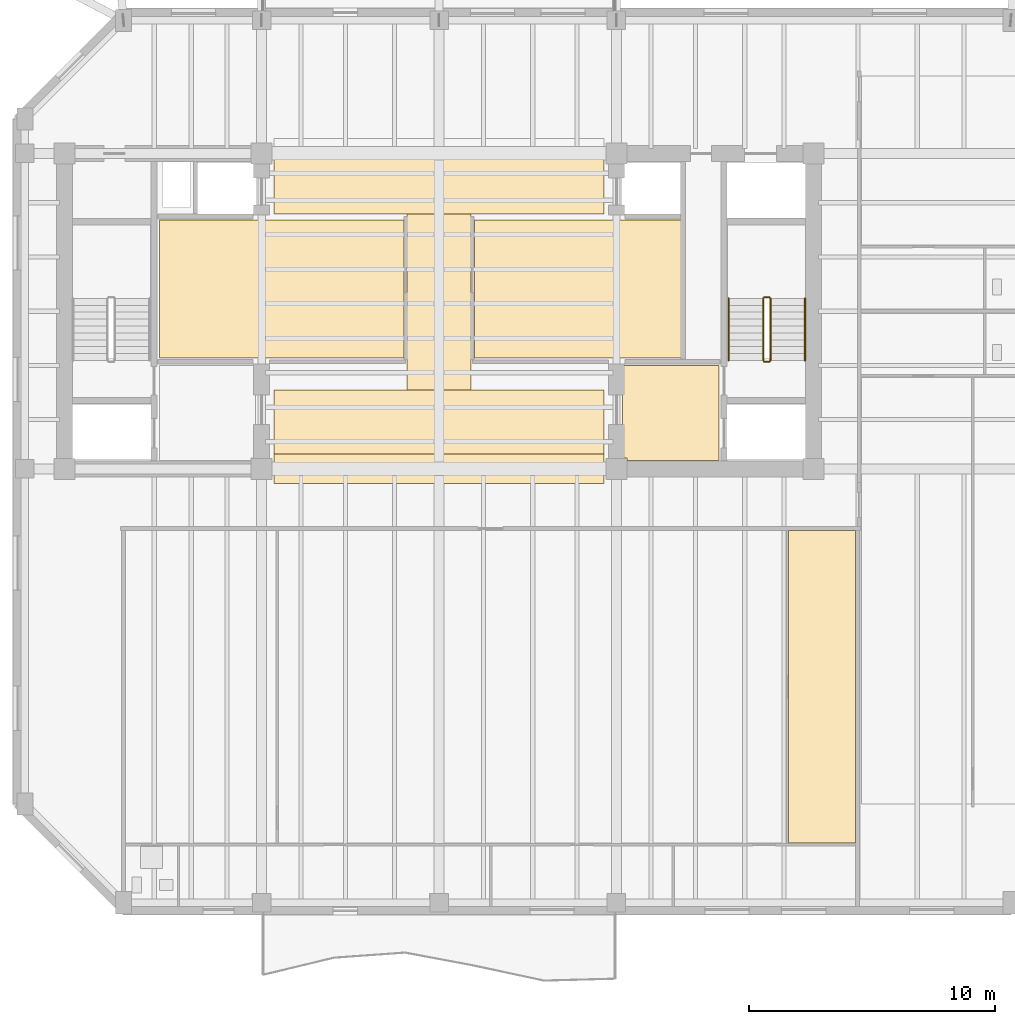
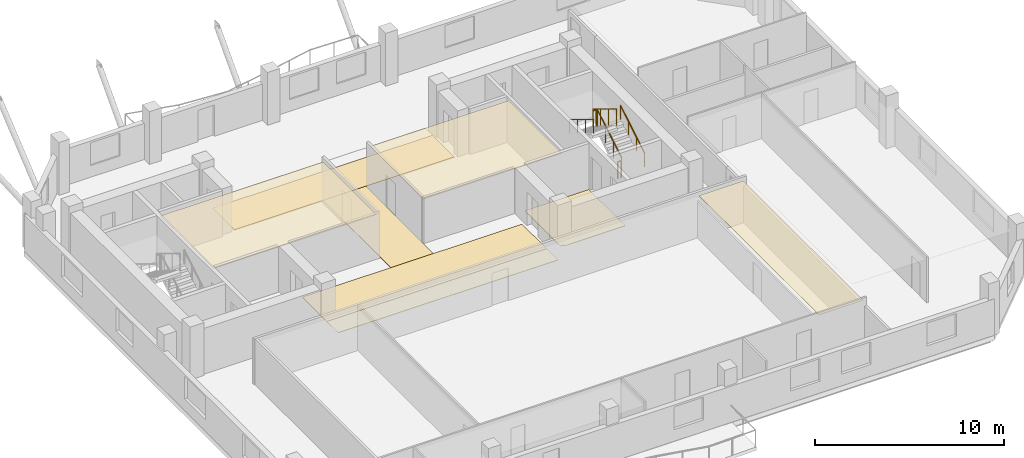
# One storey, part 9 of 11: 8 coverings, 6 railings.
"""IFC4 building model written with IfcOpenShell, lengths in metres."""

import ifcopenshell
import ifcopenshell.guid

model = None  # the IFC model being written
_history = None  # IfcOwnerHistory: only IFC2X3 demands one
_inside = {}  # id of a spatial element -> (the spatial element, [elements in it])
_under = {}  # id of a project, library or spatial element -> (it, [spatial elements below it])
_declared = {}  # id of a project -> (the project, [libraries it declares])
_typed = {}  # id of a type object -> (the type object, [elements of that type])
_made_of = {}  # id of a material, layer set ... -> (it, [elements and type objects made of it])


def new_model(schema):
    """Start an empty IFC model of exactly this schema.

    Asked for "IFC4X3", IfcOpenShell would pick the latest addendum, in which some entities
    have other attributes; the version numbers below select the first issue.
    IFC2X3 requires an IfcOwnerHistory on every rooted entity: one is made here for all.
    """
    global model, _history
    if schema == "IFC4X3":
        model = ifcopenshell.file(schema_version=(4, 3, 0, 0))
    else:
        model = ifcopenshell.file(schema=schema)
    _inside.clear()
    _under.clear()
    _declared.clear()
    _typed.clear()
    _made_of.clear()
    _history = None
    if model.schema == "IFC2X3":
        org = make("IfcOrganization", Name="unknown")
        user = make(
            "IfcPersonAndOrganization",
            ThePerson=make("IfcPerson", FamilyName="unknown"),
            TheOrganization=org,
        )
        app = make(
            "IfcApplication",
            ApplicationDeveloper=org,
            Version="unknown",
            ApplicationFullName="unknown",
            ApplicationIdentifier="unknown",
        )
        _history = make(
            "IfcOwnerHistory",
            OwningUser=user,
            OwningApplication=app,
            ChangeAction="ADDED",
            CreationDate=0,
        )
    return model


def make(cls, **values):
    """One entity of the class cls with the attributes given. An attribute that is None is left unset."""
    return model.create_entity(
        cls, **{name: value for name, value in values.items() if value is not None}
    )


def rooted(cls, **values):
    """An entity with a GlobalId (a new one), such as an element, a storey or a relation."""
    return make(cls, GlobalId=ifcopenshell.guid.new(), OwnerHistory=_history, **values)


def si_unit(unit_type, name, prefix=None):
    """IfcSIUnit, for example si_unit("LENGTHUNIT", "METRE", prefix="MILLI")."""
    return make("IfcSIUnit", UnitType=unit_type, Prefix=prefix, Name=name)


def assignment(units):
    """IfcUnitAssignment: the units of a project."""
    return None if units is None else make("IfcUnitAssignment", Units=units)


def point(xyz):
    """IfcCartesianPoint."""
    return None if xyz is None else make("IfcCartesianPoint", Coordinates=xyz)


def direction(xyz):
    """IfcDirection."""
    return None if xyz is None else make("IfcDirection", DirectionRatios=xyz)


def frame(location, z_axis=None, x_axis=None):
    """IfcAxis2Placement3D, a coordinate frame: its origin and axes. An axis left out is left unset."""
    return make(
        "IfcAxis2Placement3D",
        Location=point(location),
        Axis=direction(z_axis),
        RefDirection=direction(x_axis),
    )


def frame_2d(location, x_axis=None):
    """IfcAxis2Placement2D, a coordinate frame in the plane: its origin and x axis."""
    return make(
        "IfcAxis2Placement2D", Location=point(location), RefDirection=direction(x_axis)
    )


def origin():
    """The frame at (0, 0, 0) with its axes left unset."""
    return frame((0.0, 0.0, 0.0))


def origin_2d():
    """The frame at (0, 0) in the plane with its x axis left unset."""
    return frame_2d((0.0, 0.0))


def place(relative_to, where):
    """IfcLocalPlacement: puts the frame where relative to a parent placement (None: the world)."""
    return make(
        "IfcLocalPlacement", PlacementRelTo=relative_to, RelativePlacement=where
    )


def context(
    kind, dimensions, precision=None, world=None, true_north=None, identifier=None
):
    """IfcGeometricRepresentationContext, for example the 3D "Model" context."""
    return make(
        "IfcGeometricRepresentationContext",
        ContextIdentifier=identifier,
        ContextType=kind,
        CoordinateSpaceDimension=dimensions,
        Precision=precision,
        WorldCoordinateSystem=world,
        TrueNorth=true_north,
    )


def subcontext(parent, identifier, kind, view, scale=None):
    """IfcGeometricRepresentationSubContext, for example "Body" below "Model"."""
    return make(
        "IfcGeometricRepresentationSubContext",
        ContextIdentifier=identifier,
        ContextType=kind,
        ParentContext=parent,
        TargetScale=scale,
        TargetView=view,
    )


def project(units=None, contexts=None):
    """IfcProject with its units and contexts."""
    return rooted(
        "IfcProject",
        Name="project",
        RepresentationContexts=contexts,
        UnitsInContext=assignment(units),
    )


def spatial(cls, under=None, at=None, **own):
    """A site, building, storey or space (cls), placed at a placement, below another one or the project."""
    s = rooted(cls, ObjectPlacement=at, **own)
    if under is not None:
        _under.setdefault(under.id(), (under, []))[1].append(s)
    return s


def polyline(points):
    """IfcPolyline through the points."""
    return make("IfcPolyline", Points=[point(p) for p in points])


def profile(cls, at=None, kind="AREA", **sizes):
    """A parametric profile (cls). Its sizes go by their IFC names, for example OverallWidth=200.0."""
    return make(cls, ProfileType=kind, Position=at, **sizes)


def circle(**sizes):
    """IfcCircleProfileDef."""
    return profile("IfcCircleProfileDef", **sizes)


def outline(outer, holes=None, kind="AREA"):
    """IfcArbitraryClosedProfileDef: a profile drawn as a closed curve; with holes, ...WithVoids."""
    if holes is None:
        return make("IfcArbitraryClosedProfileDef", ProfileType=kind, OuterCurve=outer)
    return make(
        "IfcArbitraryProfileDefWithVoids",
        ProfileType=kind,
        OuterCurve=outer,
        InnerCurves=holes,
    )


def extrude(swept, where, along, depth):
    """IfcExtrudedAreaSolid: the profile swept, set in the frame where, extruded along a direction by depth."""
    return make(
        "IfcExtrudedAreaSolid",
        SweptArea=swept,
        Position=where,
        ExtrudedDirection=direction(along),
        Depth=depth,
    )


def shape(context_of_items, identifier, shape_type, items):
    """IfcShapeRepresentation: the items that make up one representation, for example the "Body"."""
    return make(
        "IfcShapeRepresentation",
        ContextOfItems=context_of_items,
        RepresentationIdentifier=identifier,
        RepresentationType=shape_type,
        Items=items,
    )


def material(Name=None, Category=None):
    """IfcMaterial."""
    return make("IfcMaterial", Name=Name, Category=Category)


def layer(
    of_material, thickness, ventilated=None, Name=None, Category=None, Priority=None
):
    """IfcMaterialLayer: one layer of a wall or slab, of a material (None: an air gap)."""
    return make(
        "IfcMaterialLayer",
        Material=of_material,
        LayerThickness=thickness,
        IsVentilated=ventilated,
        Name=Name,
        Category=Category,
        Priority=Priority,
    )


def layer_set(layers, Name=None):
    """IfcMaterialLayerSet."""
    return make("IfcMaterialLayerSet", MaterialLayers=layers, LayerSetName=Name)


def made_of(thing, what):
    """Note that an element or type object is made of a material, layer set ...; save() writes the relation."""
    if what is not None:
        _made_of.setdefault(what.id(), (what, []))[1].append(thing)
    return thing


def type_object(cls, material=None, **own):
    """A type object (cls), such as IfcWallType, which elements share."""
    return made_of(rooted(cls, **own), material)


def element(
    cls,
    number,
    at=None,
    inside=None,
    cuts=None,
    type_object=None,
    material=None,
    context=None,
    identifier="Body",
    shape_type=None,
    held_by="IfcProductDefinitionShape",
    body=None,
    shapes=None,
    **own,
):
    """One element of the class cls, such as IfcWall. Its Tag is "e" and its number.

    at: its placement. inside: the storey or other place that contains it. cuts: it is an
    opening in that element (IfcRelVoidsElement). A single representation is given by context,
    identifier, shape_type and body (its items); several are given by shapes. held_by: the class
    of the entity that holds the representations. save() writes the other relations.
    """
    e = rooted(cls, Tag="e%d" % number, ObjectPlacement=at, **own)
    if body is not None:
        shapes = [shape(context, identifier, shape_type, body)]
    if shapes is not None:
        e.Representation = make(held_by, Representations=shapes)
    if inside is not None:
        _inside.setdefault(inside.id(), (inside, []))[1].append(e)
    if cuts is not None:
        rooted(
            "IfcRelVoidsElement", RelatingBuildingElement=cuts, RelatedOpeningElement=e
        )
    if type_object is not None:
        _typed.setdefault(type_object.id(), (type_object, []))[1].append(e)
    return made_of(e, material)


def aggregate(whole, parts):
    """IfcRelAggregates: a whole, such as a stair, and the parts it consists of."""
    return rooted("IfcRelAggregates", RelatingObject=whole, RelatedObjects=parts)


def save(model, path):
    """Write the relations noted so far, then the file.

    IfcRelAggregates (storeys below a building ...), IfcRelContainedInSpatialStructure (elements
    in a storey), IfcRelDefinesByType, IfcRelAssociatesMaterial and IfcRelDeclares: one each for
    every whole, place, type object, material and project.
    """
    for whole, parts in _under.values():
        aggregate(whole, parts)
    for where, things in _inside.values():
        rooted(
            "IfcRelContainedInSpatialStructure",
            RelatedElements=things,
            RelatingStructure=where,
        )
    for kind, things in _typed.values():
        rooted("IfcRelDefinesByType", RelatedObjects=things, RelatingType=kind)
    for what, things in _made_of.values():
        rooted("IfcRelAssociatesMaterial", RelatedObjects=things, RelatingMaterial=what)
    for by, libraries in _declared.values():
        rooted("IfcRelDeclares", RelatingContext=by, RelatedDefinitions=libraries)
    model.write(path)


model = new_model("IFC4")

# Units and contexts
model_context = context("Model", 3, precision=1e-05, world=origin(), true_north=direction((0.0, 1.0)))
body_context = subcontext(model_context, "Body", "Model", "MODEL_VIEW")
ifc_project = project(units=[si_unit("LENGTHUNIT", "METRE"), si_unit("AREAUNIT", "SQUARE_METRE"), si_unit("VOLUMEUNIT", "CUBIC_METRE"), si_unit("PLANEANGLEUNIT", "RADIAN"), si_unit("MASSUNIT", "GRAM", prefix="KILO")], contexts=[model_context])

# Site, building, storey
site_placement = place(None, origin())
site = spatial("IfcSite", under=ifc_project, at=site_placement, CompositionType="ELEMENT")
building_placement = place(site_placement, origin())
building = spatial("IfcBuilding", under=site, at=building_placement, Name="Kranthara Brick Stack", CompositionType="ELEMENT")
storey_placement = place(building_placement, frame((0.0, 0.0, 244.89990234375)))
storey = spatial("IfcBuildingStorey", under=building, at=storey_placement, Name="L64", CompositionType="ELEMENT", Elevation=244.89990234375)

# Coverings
ifc_material_1 = material(Name="Perforated mineral-fibre acoustic ceiling tile", Category="other")
ifc_layer_1 = layer(ifc_material_1, 0.02490234375)
ifc_layer_set_1 = layer_set([ifc_layer_1], Name="Perforated mineral-fibre acoustic ceiling tile")
covering_type_1 = type_object("IfcCoveringType", Name="COV-CEIL-ACOUSTIC", PredefinedType="CEILING", material=ifc_layer_set_1)
covering_1_placement = place(storey_placement, frame((0.0, 0.0, 2.68017578125)))
element("IfcCovering", 1, at=covering_1_placement, inside=storey, type_object=covering_type_1, Name="L64 L64 Sky Club Library and Study Acoustic Ceiling", PredefinedType="CEILING", context=body_context, shape_type="SweptSolid", body=[
    extrude(outline(polyline([(26.570068359375, 25.300048828125), (26.570068359375, 30.89990234375), (16.64990234375, 30.89990234375), (16.64990234375, 25.300048828125), (26.570068359375, 25.300048828125)])), origin(), (0.0, 0.0, 1.0), 0.02490234375),
])
covering_2_placement = place(storey_placement, frame((0.0, 0.0, 2.68017578125)))
element("IfcCovering", 2, at=covering_2_placement, inside=storey, type_object=covering_type_1, Name="L64 L64 Sky Club Lounge and Salon Acoustic Ceiling", PredefinedType="CEILING", context=body_context, shape_type="SweptSolid", body=[
    extrude(outline(polyline([(37.8798828125, 25.300048828125), (37.8798828125, 30.89990234375), (29.429931640625, 30.89990234375), (29.429931640625, 25.300048828125), (37.8798828125, 25.300048828125)])), origin(), (0.0, 0.0, 1.0), 0.02490234375),
])
covering_3_placement = place(storey_placement, frame((0.0, 0.0, 2.68017578125)))
element("IfcCovering", 3, at=covering_3_placement, inside=storey, type_object=covering_type_1, Name="L64 Unit L64A Bedroom 3 Acoustic Ceiling", PredefinedType="CEILING", context=body_context, shape_type="SweptSolid", body=[
    extrude(outline(polyline([(44.89990234375, 5.6298828125), (44.89990234375, 18.300048828125), (42.18798828125, 18.300048828125), (42.18798828125, 5.6298828125), (44.89990234375, 5.6298828125)])), origin(), (0.0, 0.0, 1.0), 0.02490234375),
])
ifc_material_2 = material(Name="Honed terrazzo and porcelain floor finish", Category="stone")
ifc_layer_2 = layer(ifc_material_2, 0.030029296875)
ifc_layer_set_2 = layer_set([ifc_layer_2], Name="Honed terrazzo and porcelain floor finish")
covering_type_2 = type_object("IfcCoveringType", Name="COV-FLOR-STONE", PredefinedType="FLOORING", material=ifc_layer_set_2)
covering_4_placement = place(storey_placement, origin())
element("IfcCovering", 4, at=covering_4_placement, inside=storey, type_object=covering_type_2, Name="L64 Lift Lobby Stone Flooring", PredefinedType="FLOORING", context=body_context, shape_type="SweptSolid", body=[
    extrude(outline(polyline([(35.449951171875, 25.0), (39.35009765625, 25.0), (39.35009765625, 21.14990234375), (35.635009765625, 21.14990234375), (35.635009765625, 21.235107421875), (35.449951171875, 21.235107421875), (35.449951171875, 25.0)])), origin(), (0.0, 0.0, 1.0), 0.030029296875),
])
covering_5_placement = place(storey_placement, origin())
element("IfcCovering", 5, at=covering_5_placement, inside=storey, type_object=covering_type_2, Name="L64 Lift Lobby Stone Flooring", PredefinedType="FLOORING", context=body_context, shape_type="SweptSolid", body=[
    extrude(outline(polyline([(34.699951171875, 21.39990234375), (34.699951171875, 24.0), (21.300048828125, 24.0), (21.300048828125, 21.39990234375), (34.699951171875, 21.39990234375)])), origin(), (0.0, 0.0, 1.0), 0.030029296875),
])
covering_6_placement = place(storey_placement, origin())
element("IfcCovering", 6, at=covering_6_placement, inside=storey, type_object=covering_type_2, Name="L64 Lift Lobby Stone Flooring", PredefinedType="FLOORING", context=body_context, shape_type="SweptSolid", body=[
    extrude(outline(polyline([(34.699951171875, 31.14990234375), (34.699951171875, 33.449951171875), (21.300048828125, 33.449951171875), (21.300048828125, 31.14990234375), (34.699951171875, 31.14990234375)])), origin(), (0.0, 0.0, 1.0), 0.030029296875),
])
covering_7_placement = place(storey_placement, origin())
element("IfcCovering", 7, at=covering_7_placement, inside=storey, type_object=covering_type_2, Name="L64 Lift Lobby Stone Flooring", PredefinedType="FLOORING", context=body_context, shape_type="SweptSolid", body=[
    extrude(outline(polyline([(29.300048828125, 24.0), (26.699951171875, 24.0), (26.699951171875, 31.14990234375), (29.300048828125, 31.14990234375), (29.300048828125, 24.0)])), origin(), (0.0, 0.0, 1.0), 0.030029296875),
])
covering_8_placement = place(storey_placement, origin())
element("IfcCovering", 8, at=covering_8_placement, inside=storey, type_object=covering_type_2, Name="L64 Lift Lobby Stone Flooring", PredefinedType="FLOORING", context=body_context, shape_type="SweptSolid", body=[
    extrude(outline(polyline([(34.699951171875, 20.199951171875), (21.300048828125, 20.199951171875), (21.300048828125, 21.39990234375), (34.699951171875, 21.39990234375), (34.699951171875, 20.199951171875)])), origin(), (0.0, 0.0, 1.0), 0.030029296875),
])

# Railings
ifc_material_3 = material(Name="Painted galvanized steel stair guardrail", Category="steel")
railing_type_1 = type_object("IfcRailingType", Name="RL-STAIR-GUARD-1100", PredefinedType="GUARDRAIL", material=ifc_material_3)
railing_1_placement = place(storey_placement, frame((41.449951171875, 25.199951171875, 0.170166015625)))
element("IfcRailing", 9, at=railing_1_placement, inside=storey, type_object=railing_type_1, Name="L64 ST02 stair guard 1", PredefinedType="GUARDRAIL", context=body_context, shape_type="SweptSolid", body=[
    extrude(circle(Radius=0.02392578125, at=origin_2d()), frame((0.0, 0.0, 1.076171875), z_axis=(0.0, 0.85478489116, 0.518982456201), x_axis=(-1.0, 0.0, 0.0)), (0.0, 0.0, 1.0), 2.9482421875),
    extrude(circle(Radius=0.02099609375, at=origin_2d()), origin(), (0.0, 0.0, 1.0), 1.052001953125),
    extrude(circle(Radius=0.02099609375, at=origin_2d()), frame((0.0, 0.840087890625, 0.510009765625)), (0.0, 0.0, 1.0), 1.052001953125),
    extrude(circle(Radius=0.02099609375, at=origin_2d()), frame((0.0, 1.679931640625, 1.02001953125)), (0.0, 0.0, 1.0), 1.052001953125),
    extrude(circle(Radius=0.02099609375, at=origin_2d()), frame((0.0, 2.52001953125, 1.530029296875)), (0.0, 0.0, 1.0), 1.052001953125),
])
railing_2_placement = place(storey_placement, frame((41.39990234375, 27.77001953125, 1.7001953125)))
element("IfcRailing", 10, at=railing_2_placement, inside=storey, type_object=railing_type_1, Name="L64 ST02 stair guard 2", PredefinedType="GUARDRAIL", context=body_context, shape_type="SweptSolid", body=[
    extrude(circle(Radius=0.02392578125, at=origin_2d()), frame((0.0, 0.0, 1.076171875), z_axis=(-1.0, 0.0, 0.0), x_axis=(0.0, -1.0, 0.0)), (0.0, 0.0, 1.0), 0.199951171875),
    extrude(circle(Radius=0.02099609375, at=origin_2d()), origin(), (0.0, 0.0, 1.0), 1.052001953125),
    extrude(circle(Radius=0.02099609375, at=origin_2d()), frame((-0.199951171875, 0.0, 0.0)), (0.0, 0.0, 1.0), 1.052001953125),
])
railing_3_placement = place(storey_placement, frame((41.14990234375, 27.719970703125, 1.8701171875)))
element("IfcRailing", 11, at=railing_3_placement, inside=storey, type_object=railing_type_1, Name="L64 ST02 stair guard 3", PredefinedType="GUARDRAIL", context=body_context, shape_type="SweptSolid", body=[
    extrude(circle(Radius=0.02392578125, at=origin_2d()), frame((0.0, 0.0, 1.076171875), z_axis=(0.0, -0.85478489116, 0.518982456201), x_axis=(1.0, 0.0, 0.0)), (0.0, 0.0, 1.0), 2.9482421875),
    extrude(circle(Radius=0.02099609375, at=origin_2d()), origin(), (0.0, 0.0, 1.0), 1.052001953125),
    extrude(circle(Radius=0.02099609375, at=origin_2d()), frame((0.0, -0.840087890625, 0.510009765625)), (0.0, 0.0, 1.0), 1.052001953125),
    extrude(circle(Radius=0.02099609375, at=origin_2d()), frame((0.0, -1.679931640625, 1.02001953125)), (0.0, 0.0, 1.0), 1.052001953125),
    extrude(circle(Radius=0.02099609375, at=origin_2d()), frame((0.0, -2.52001953125, 1.530029296875)), (0.0, 0.0, 1.0), 1.052001953125),
])
railing_4_placement = place(storey_placement, frame((41.39990234375, 25.14990234375, 0.0)))
element("IfcRailing", 12, at=railing_4_placement, inside=storey, type_object=railing_type_1, Name="L64 ST02 stair guard 4", PredefinedType="GUARDRAIL", context=body_context, shape_type="SweptSolid", body=[
    extrude(circle(Radius=0.02392578125, at=origin_2d()), frame((0.0, 0.0, 1.076171875), z_axis=(-1.0, 0.0, 0.0), x_axis=(0.0, -1.0, 0.0)), (0.0, 0.0, 1.0), 0.199951171875),
    extrude(circle(Radius=0.02099609375, at=origin_2d()), origin(), (0.0, 0.0, 1.0), 1.052001953125),
    extrude(circle(Radius=0.02099609375, at=origin_2d()), frame((-0.199951171875, 0.0, 0.0)), (0.0, 0.0, 1.0), 1.052001953125),
])
ifc_material_4 = material(Name="Brushed stainless steel tubular handrail", Category="steel")
railing_type_2 = type_object("IfcRailingType", Name="RL-STAIR-HAND-900", PredefinedType="HANDRAIL", material=ifc_material_4)
railing_5_placement = place(storey_placement, frame((42.85009765625, 25.199951171875, 0.170166015625)))
element("IfcRailing", 13, at=railing_5_placement, inside=storey, type_object=railing_type_2, Name="L64 ST02 stair handrail 1", PredefinedType="HANDRAIL", context=body_context, shape_type="SweptSolid", body=[
    extrude(circle(Radius=0.02392578125, at=origin_2d()), frame((0.0, 0.0, 0.8759765625), z_axis=(0.0, 0.85478489116, 0.518982456201), x_axis=(-1.0, 0.0, 0.0)), (0.0, 0.0, 1.0), 2.9482421875),
    extrude(circle(Radius=0.02099609375, at=origin_2d()), origin(), (0.0, 0.0, 1.0), 0.851806640625),
    extrude(circle(Radius=0.02099609375, at=origin_2d()), frame((0.0, 0.840087890625, 0.510009765625)), (0.0, 0.0, 1.0), 0.851806640625),
    extrude(circle(Radius=0.02099609375, at=origin_2d()), frame((0.0, 1.679931640625, 1.02001953125)), (0.0, 0.0, 1.0), 0.851806640625),
    extrude(circle(Radius=0.02099609375, at=origin_2d()), frame((0.0, 2.52001953125, 1.530029296875)), (0.0, 0.0, 1.0), 0.851806640625),
])
railing_6_placement = place(storey_placement, frame((39.75, 27.719970703125, 1.8701171875)))
element("IfcRailing", 14, at=railing_6_placement, inside=storey, type_object=railing_type_2, Name="L64 ST02 stair handrail 2", PredefinedType="HANDRAIL", context=body_context, shape_type="SweptSolid", body=[
    extrude(circle(Radius=0.02392578125, at=origin_2d()), frame((0.0, 0.0, 0.8759765625), z_axis=(0.0, -0.85478489116, 0.518982456201), x_axis=(1.0, 0.0, 0.0)), (0.0, 0.0, 1.0), 2.9482421875),
    extrude(circle(Radius=0.02099609375, at=origin_2d()), origin(), (0.0, 0.0, 1.0), 0.851806640625),
    extrude(circle(Radius=0.02099609375, at=origin_2d()), frame((0.0, -0.840087890625, 0.510009765625)), (0.0, 0.0, 1.0), 0.851806640625),
    extrude(circle(Radius=0.02099609375, at=origin_2d()), frame((0.0, -1.679931640625, 1.02001953125)), (0.0, 0.0, 1.0), 0.851806640625),
    extrude(circle(Radius=0.02099609375, at=origin_2d()), frame((0.0, -2.52001953125, 1.530029296875)), (0.0, 0.0, 1.0), 0.851806640625),
])

save(model, "model.ifc")
